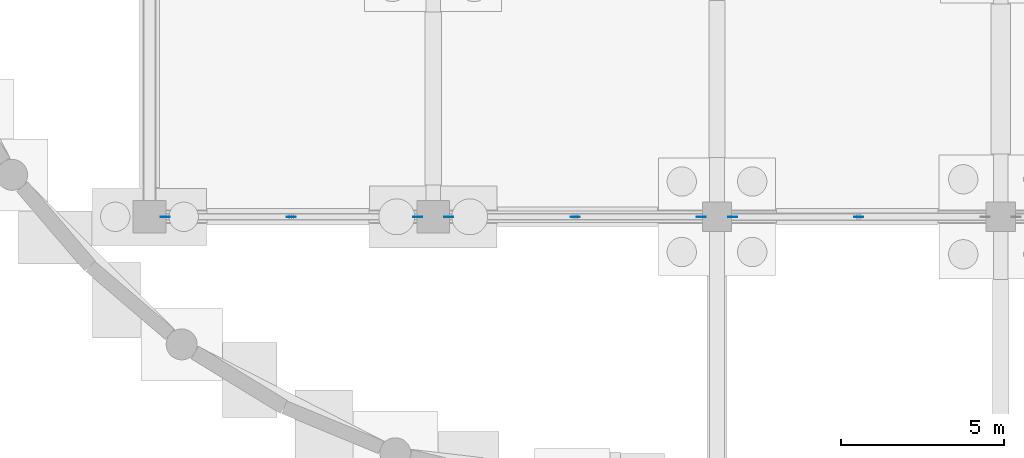
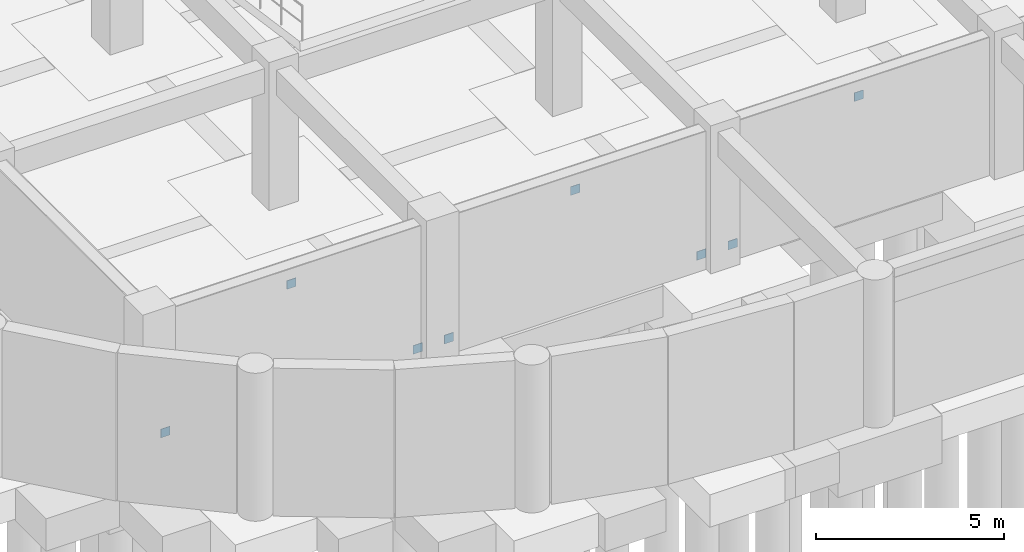
# One storey, part 21 of 33: 8 plates.
"""IFC4 building model written with IfcOpenShell, lengths in metres."""

from ifc_helpers import new_model, si_unit, derived_unit, direction, frame, origin, origin_2d, place, context, subcontext, project, spatial, rectangle, extrude, material, layer, layer_set, type_object, element, save


model = new_model("IFC4")

# Units and contexts
model_context = context("Model", 3, precision=1e-05, world=origin(), true_north=direction((0.0, 1.0)))
body_context = subcontext(model_context, "Body", "Model", "MODEL_VIEW")
ifc_project = project(units=[si_unit("LENGTHUNIT", "METRE"), si_unit("AREAUNIT", "SQUARE_METRE"), si_unit("VOLUMEUNIT", "CUBIC_METRE"), si_unit("PLANEANGLEUNIT", "RADIAN"), si_unit("MASSUNIT", "GRAM", prefix="KILO"), derived_unit("THERMALTRANSMITTANCEUNIT", [(si_unit("MASSUNIT", "GRAM", prefix="KILO"), 1), (si_unit("TIMEUNIT", "SECOND"), -3), (si_unit("THERMODYNAMICTEMPERATUREUNIT", "KELVIN"), -1)])], contexts=[model_context])

# Site, building, storey
site_placement = place(None, origin())
site = spatial("IfcSite", under=ifc_project, at=site_placement, CompositionType="ELEMENT")
building_placement = place(site_placement, origin())
building = spatial("IfcBuilding", under=site, at=building_placement, Name="Qinzheling Arcade Emporium", CompositionType="ELEMENT")
storey_placement = place(building_placement, frame((0.0, 0.0, -9.60009765625)))
storey = spatial("IfcBuildingStorey", under=building, at=storey_placement, Name="B2", CompositionType="ELEMENT", Elevation=-9.60009765625)

# Plates
ifc_material = material(Name="Structural steel Q355B", Category="steel")
ifc_layer = layer(ifc_material, 0.01611328125, Name="Structural steel Q355B", Category="steel")
ifc_layer_set = layer_set([ifc_layer], Name="Structural steel Q355B")
plate_type = type_object("IfcPlateType", Name="Structural Steel Brace Gusset Plate 16mm Q355B", PredefinedType="SHEET", material=ifc_layer_set)
for number, where, z_axis, x_axis, name in (
    (1, (9.179931640625, 8.39990234375, 0.22998046875), (0.0, 0.0, 1.0), (1.0, 0.0, 0.0), "Brace Gusset Plate PLT-GP-B2-001"),
    (2, (16.919921875, 8.39990234375, 0.22998046875), (0.0, 0.0, 1.0), (1.0, 0.0, 0.0), "Brace Gusset Plate PLT-GP-B2-002"),
    (3, (13.050048828125, 8.39990234375, 3.68994140625), (0.0, 0.0, 1.0), (1.0, 0.0, 0.0), "Brace Gusset Plate PLT-GP-B2-003"),
    (4, (17.8798828125, 8.39990234375, 0.22998046875), (0.0, 0.0, 1.0), (1.0, 0.0, 0.0), "Brace Gusset Plate PLT-GP-B2-004"),
    (5, (25.6201171875, 8.39990234375, 0.22998046875), (0.0, 0.0, 1.0), (1.0, 0.0, 0.0), "Brace Gusset Plate PLT-GP-B2-005"),
    (6, (21.75, 8.39990234375, 3.68994140625), (0.0, 0.0, 1.0), (1.0, 0.0, 0.0), "Brace Gusset Plate PLT-GP-B2-006"),
    (7, (26.580078125, 8.39990234375, 0.22998046875), (0.0, 0.0, 1.0), (1.0, 0.0, 0.0), "Brace Gusset Plate PLT-GP-B2-013"),
    (8, (30.449951171875, 8.39990234375, 3.68994140625), (0.0, 0.0, 1.0), (1.0, 0.0, 0.0), "Brace Gusset Plate PLT-GP-B2-015"),
):
    element("IfcPlate", number, at=place(storey_placement, frame(where, z_axis=z_axis, x_axis=x_axis)), inside=storey, type_object=plate_type, Name=name, PredefinedType="SHEET", context=body_context, shape_type="SweptSolid", body=[
        extrude(rectangle(XDim=0.280029296875, YDim=0.01611328125, at=origin_2d()), origin(), (0.0, 0.0, 1.0), 0.280029296875),
    ])

save(model, "model.ifc")
